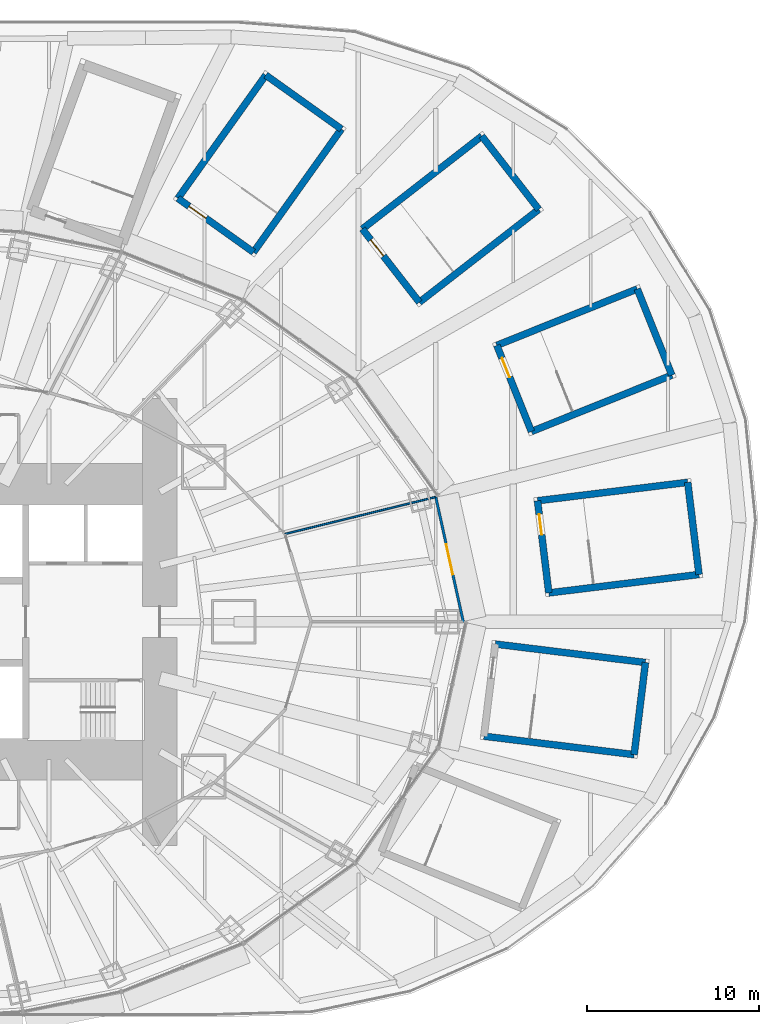
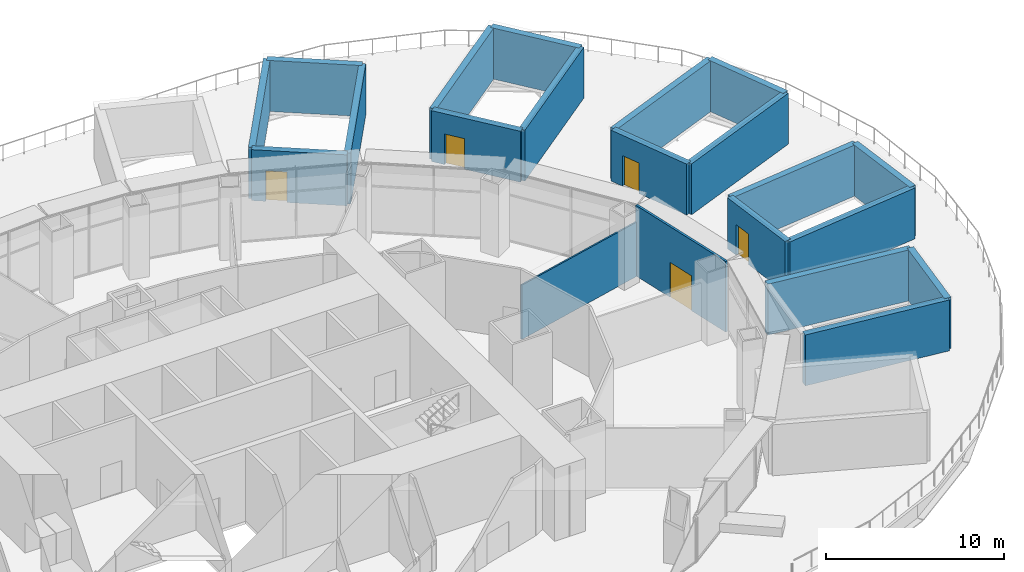
# One storey, part 19 of 25: 21 walls, 5 doors, 5 openings.
"""IFC4 building model written with IfcOpenShell, lengths in metres."""

from ifc_helpers import new_model, si_unit, direction, frame, frame_2d, origin, place, context, subcontext, project, spatial, rectangle, extrude, material, layer, layer_set, type_object, element, fill, save


model = new_model("IFC4")

# Units and contexts
model_context = context("Model", 3, precision=1e-05, world=origin(), true_north=direction((0.0, 1.0)))
body_context = subcontext(model_context, "Body", "Model", "MODEL_VIEW")
ifc_project = project(units=[si_unit("LENGTHUNIT", "METRE"), si_unit("AREAUNIT", "SQUARE_METRE"), si_unit("VOLUMEUNIT", "CUBIC_METRE"), si_unit("PLANEANGLEUNIT", "RADIAN"), si_unit("MASSUNIT", "GRAM", prefix="KILO")], contexts=[model_context])

# Site, building, storey
site_placement = place(None, origin())
site = spatial("IfcSite", under=ifc_project, at=site_placement, CompositionType="ELEMENT")
building_placement = place(site_placement, origin())
building = spatial("IfcBuilding", under=site, at=building_placement, Name="Lantaw Convention Tower", CompositionType="ELEMENT")
storey_placement = place(building_placement, frame((0.0, 0.0, 32.0)))
storey = spatial("IfcBuildingStorey", under=building, at=storey_placement, Name="L05", CompositionType="ELEMENT", Elevation=32.0)

# Wall, opening, door
ifc_material_1 = material(Name="Aluminium framed glazing", Category="aluminium")
ifc_layer_1 = layer(ifc_material_1, 0.14990234375)
ifc_layer_set_1 = layer_set([ifc_layer_1], Name="Glazed entrance screen 150")
wall_type_1 = type_object("IfcWallType", Name="Glazed entrance screen 150", PredefinedType="ELEMENTEDWALL", material=ifc_layer_set_1)
wall_1_placement = place(storey_placement, frame((30.853515625, -0.0322265625, 0.0), z_axis=(0.0, 0.0, 1.0), x_axis=(-0.215234867549, 0.976562313317, 0.0)))
wall_1 = element("IfcWall", 1, at=wall_1_placement, inside=storey, type_object=wall_type_1, Name="Glazed entrance screen", PredefinedType="ELEMENTEDWALL", context=body_context, shape_type="SweptSolid", body=[
    extrude(rectangle(XDim=7.502197265625, YDim=0.14990234375, at=frame_2d((3.7509765625, 0.0))), origin(), (0.0, 0.0, 1.0), 4.85009765625),
])
opening_1_placement = place(wall_1_placement, frame((2.851318359375, 0.0, 0.0)))
opening_1 = element("IfcOpeningElement", 2, at=opening_1_placement, cuts=wall_1, Name="Opening L05.E00", PredefinedType="OPENING", context=body_context, shape_type="SweptSolid", body=[
    extrude(rectangle(XDim=1.800048828125, YDim=2.39990234375, at=frame_2d((0.89990234375, 1.199951171875))), frame((0.0, 0.0849609375, 0.0), z_axis=(0.0, -1.0, 0.0), x_axis=(1.0, 0.0, 0.0)), (0.0, 0.0, 1.0), 0.169921875),
])
ifc_material_2 = material(Name="Aluminium and glass", Category="aluminium")
door_type_1 = type_object("IfcDoorType", Name="Terrace door 1800", OperationType="DOUBLE_DOOR_DOUBLE_SWING", PredefinedType="DOOR", material=ifc_material_2)
door_1_placement = place(opening_1_placement, origin())
door_1 = element("IfcDoor", 3, at=door_1_placement, inside=storey, type_object=door_type_1, Name="Terrace door", OperationType="DOUBLE_DOOR_DOUBLE_SWING", OverallHeight=2.39990234375, OverallWidth=1.800048828125, PredefinedType="DOOR", context=body_context, shape_type="SweptSolid", body=[
    extrude(rectangle(XDim=1.800048828125, YDim=2.39990234375, at=frame_2d((0.89990234375, 1.199951171875))), frame((0.0, 0.02490234375, 0.0), z_axis=(0.0, -1.0, 0.0), x_axis=(1.0, 0.0, 0.0)), (0.0, 0.0, 1.0), 0.050048828125),
])
fill(opening_1, door_1)

# Walls
ifc_material_3 = material(Name="Gypsum board on steel studs, acoustic", Category="steel")
ifc_layer_2 = layer(ifc_material_3, 0.10009765625)
ifc_layer_set_2 = layer_set([ifc_layer_2], Name="Office partition 100")
wall_type_2 = type_object("IfcWallType", Name="Office partition 100", PredefinedType="PARTITIONING", material=ifc_layer_set_2)
wall_2_placement = place(storey_placement, frame((29.221923828125, 7.253662109375, 0.0), z_axis=(0.0, 0.0, 1.0), x_axis=(-0.971128703136, -0.238556160989, 0.0)))
element("IfcWall", 4, at=wall_2_placement, inside=storey, type_object=wall_type_2, Name="Office partition 100", PredefinedType="PARTITIONING", context=body_context, shape_type="SweptSolid", body=[
    extrude(rectangle(XDim=8.997802734375, YDim=0.10009765625, at=frame_2d((4.4990234375, 0.0))), origin(), (0.0, 0.0, 1.0), 3.732421875),
])
ifc_material_4 = material(Name="Concrete C40/50, stair core, rendered", Category="concrete")
ifc_layer_3 = layer(ifc_material_4, 0.39990234375)
ifc_layer_set_3 = layer_set([ifc_layer_3], Name="Stair head-house wall 400 EI 120")
wall_type_3 = type_object("IfcWallType", Name="Stair head-house wall 400 EI 120", PredefinedType="SHEAR", material=ifc_layer_set_3)
wall_3_placement = place(storey_placement, frame((35.82275390625, 1.67822265625, 0.0), z_axis=(0.0, 0.0, 1.0), x_axis=(0.992545280606, 0.121876437212, 0.0)))
element("IfcWall", 5, at=wall_3_placement, inside=storey, type_object=wall_type_3, Name="Stair head-house wall", PredefinedType="SHEAR", context=body_context, shape_type="SweptSolid", body=[
    extrude(rectangle(XDim=8.800048828125, YDim=0.39990234375, at=frame_2d((4.39990234375, 0.0))), origin(), (0.0, 0.0, 1.0), 3.5),
])
wall_4_placement = place(storey_placement, frame((44.55712890625, 2.750732421875, 0.0), z_axis=(0.0, 0.0, 1.0), x_axis=(-0.12184754212, 0.99254882826, 0.0)))
element("IfcWall", 6, at=wall_4_placement, inside=storey, type_object=wall_type_3, Name="Stair head-house wall", PredefinedType="SHEAR", context=body_context, shape_type="SweptSolid", body=[
    extrude(rectangle(XDim=5.39990234375, YDim=0.39990234375, at=frame_2d((2.699951171875, 0.0))), origin(), (0.0, 0.0, 1.0), 3.5),
])
wall_5_placement = place(storey_placement, frame((43.899169921875, 8.1103515625, 0.0), z_axis=(0.0, 0.0, 1.0), x_axis=(-0.992545280606, -0.121876437212, 0.0)))
element("IfcWall", 7, at=wall_5_placement, inside=storey, type_object=wall_type_3, Name="Stair head-house wall", PredefinedType="SHEAR", context=body_context, shape_type="SweptSolid", body=[
    extrude(rectangle(XDim=8.800048828125, YDim=0.39990234375, at=frame_2d((4.39990234375, 0.0))), origin(), (0.0, 0.0, 1.0), 3.5),
])

# Wall, opening, door
wall_6_placement = place(storey_placement, frame((35.164794921875, 7.037841796875, 0.0), z_axis=(0.0, 0.0, 1.0), x_axis=(0.12184754212, -0.99254882826, 0.0)))
wall_6 = element("IfcWall", 8, at=wall_6_placement, inside=storey, type_object=wall_type_3, Name="Stair head-house wall", PredefinedType="SHEAR", context=body_context, shape_type="SweptSolid", body=[
    extrude(rectangle(XDim=5.39990234375, YDim=0.39990234375, at=frame_2d((2.699951171875, 0.0))), origin(), (0.0, 0.0, 1.0), 3.5),
])
opening_2_placement = place(wall_6_placement, frame((0.800048828125, 0.0, 0.0)))
opening_2 = element("IfcOpeningElement", 9, at=opening_2_placement, cuts=wall_6, Name="Opening L05.P1", PredefinedType="OPENING", context=body_context, shape_type="SweptSolid", body=[
    extrude(rectangle(XDim=1.199951171875, YDim=2.10009765625, at=frame_2d((0.60009765625, 1.050048828125))), frame((0.0, 0.2099609375, 0.0), z_axis=(0.0, -1.0, 0.0), x_axis=(1.0, 0.0, 0.0)), (0.0, 0.0, 1.0), 0.419921875),
])
door_type_2 = type_object("IfcDoorType", Name="Exit door 1200", OperationType="SINGLE_SWING_RIGHT", PredefinedType="DOOR", material=ifc_material_2)
door_2_placement = place(opening_2_placement, origin())
door_2 = element("IfcDoor", 10, at=door_2_placement, inside=storey, type_object=door_type_2, Name="Stair door to terrace", OperationType="SINGLE_SWING_RIGHT", OverallHeight=2.10009765625, OverallWidth=1.199951171875, PredefinedType="DOOR", context=body_context, shape_type="SweptSolid", body=[
    extrude(rectangle(XDim=1.199951171875, YDim=2.10009765625, at=frame_2d((0.60009765625, 1.050048828125))), frame((0.0, 0.02490234375, 0.0), z_axis=(0.0, -1.0, 0.0), x_axis=(1.0, 0.0, 0.0)), (0.0, 0.0, 1.0), 0.050048828125),
])
fill(opening_2, door_2)

# Walls
wall_7_placement = place(storey_placement, frame((34.811767578125, 11.0654296875, 0.0), z_axis=(0.0, 0.0, 1.0), x_axis=(0.92801678004, 0.372538395288, 0.0)))
element("IfcWall", 11, at=wall_7_placement, inside=storey, type_object=wall_type_3, Name="Stair head-house wall", PredefinedType="SHEAR", context=body_context, shape_type="SweptSolid", body=[
    extrude(rectangle(XDim=8.800048828125, YDim=0.39990234375, at=frame_2d((4.39990234375, 0.0))), origin(), (0.0, 0.0, 1.0), 3.5),
])
wall_8_placement = place(storey_placement, frame((42.978271484375, 14.34375, 0.0), z_axis=(0.0, 0.0, 1.0), x_axis=(-0.372544066459, 0.928014503414, 0.0)))
element("IfcWall", 12, at=wall_8_placement, inside=storey, type_object=wall_type_3, Name="Stair head-house wall", PredefinedType="SHEAR", context=body_context, shape_type="SweptSolid", body=[
    extrude(rectangle(XDim=5.39990234375, YDim=0.39990234375, at=frame_2d((2.699951171875, 0.0))), origin(), (0.0, 0.0, 1.0), 3.5),
])
wall_9_placement = place(storey_placement, frame((40.966552734375, 19.35498046875, 0.0), z_axis=(0.0, 0.0, 1.0), x_axis=(-0.92801678004, -0.372538395288, 0.0)))
element("IfcWall", 13, at=wall_9_placement, inside=storey, type_object=wall_type_3, Name="Stair head-house wall", PredefinedType="SHEAR", context=body_context, shape_type="SweptSolid", body=[
    extrude(rectangle(XDim=8.800048828125, YDim=0.39990234375, at=frame_2d((4.39990234375, 0.0))), origin(), (0.0, 0.0, 1.0), 3.5),
])

# Wall, opening, door
wall_10_placement = place(storey_placement, frame((32.800048828125, 16.07666015625, 0.0), z_axis=(0.0, 0.0, 1.0), x_axis=(0.372544066459, -0.928014503414, 0.0)))
wall_10 = element("IfcWall", 14, at=wall_10_placement, inside=storey, type_object=wall_type_3, Name="Stair head-house wall", PredefinedType="SHEAR", context=body_context, shape_type="SweptSolid", body=[
    extrude(rectangle(XDim=5.39990234375, YDim=0.39990234375, at=frame_2d((2.699951171875, 0.0))), origin(), (0.0, 0.0, 1.0), 3.5),
])
opening_3_placement = place(wall_10_placement, frame((0.800048828125, 0.0, 0.0)))
opening_3 = element("IfcOpeningElement", 15, at=opening_3_placement, cuts=wall_10, Name="Opening L05.P2", PredefinedType="OPENING", context=body_context, shape_type="SweptSolid", body=[
    extrude(rectangle(XDim=1.199951171875, YDim=2.10009765625, at=frame_2d((0.60009765625, 1.050048828125))), frame((0.0, 0.2099609375, 0.0), z_axis=(0.0, -1.0, 0.0), x_axis=(1.0, 0.0, 0.0)), (0.0, 0.0, 1.0), 0.419921875),
])
door_3_placement = place(opening_3_placement, origin())
door_3 = element("IfcDoor", 16, at=door_3_placement, inside=storey, type_object=door_type_2, Name="Stair door to terrace", OperationType="SINGLE_SWING_RIGHT", OverallHeight=2.10009765625, OverallWidth=1.199951171875, PredefinedType="DOOR", context=body_context, shape_type="SweptSolid", body=[
    extrude(rectangle(XDim=1.199951171875, YDim=2.10009765625, at=frame_2d((0.60009765625, 1.050048828125))), frame((0.0, 0.02490234375, 0.0), z_axis=(0.0, -1.0, 0.0), x_axis=(1.0, 0.0, 0.0)), (0.0, 0.0, 1.0), 0.050048828125),
])
fill(opening_3, door_3)

# Walls
wall_11_placement = place(storey_placement, frame((28.292724609375, 18.5830078125, 0.0), z_axis=(0.0, 0.0, 1.0), x_axis=(0.78938060008, 0.613904119726, 0.0)))
element("IfcWall", 17, at=wall_11_placement, inside=storey, type_object=wall_type_3, Name="Stair head-house wall", PredefinedType="SHEAR", context=body_context, shape_type="SweptSolid", body=[
    extrude(rectangle(XDim=8.800048828125, YDim=0.39990234375, at=frame_2d((4.39990234375, 0.0))), origin(), (0.0, 0.0, 1.0), 3.5),
])
wall_12_placement = place(storey_placement, frame((35.2392578125, 23.9853515625, 0.0), z_axis=(0.0, 0.0, 1.0), x_axis=(-0.613912443548, 0.789374126544, 0.0)))
element("IfcWall", 18, at=wall_12_placement, inside=storey, type_object=wall_type_3, Name="Stair head-house wall", PredefinedType="SHEAR", context=body_context, shape_type="SweptSolid", body=[
    extrude(rectangle(XDim=5.400146484375, YDim=0.39990234375, at=frame_2d((2.7001953125, 0.0))), origin(), (0.0, 0.0, 1.0), 3.5),
])
wall_13_placement = place(storey_placement, frame((31.924072265625, 28.248046875, 0.0), z_axis=(0.0, 0.0, 1.0), x_axis=(-0.78938060008, -0.613904119726, 0.0)))
element("IfcWall", 19, at=wall_13_placement, inside=storey, type_object=wall_type_3, Name="Stair head-house wall", PredefinedType="SHEAR", context=body_context, shape_type="SweptSolid", body=[
    extrude(rectangle(XDim=8.800048828125, YDim=0.39990234375, at=frame_2d((4.39990234375, 0.0))), origin(), (0.0, 0.0, 1.0), 3.5),
])

# Wall, opening, door
wall_14_placement = place(storey_placement, frame((24.9775390625, 22.845703125, 0.0), z_axis=(0.0, 0.0, 1.0), x_axis=(0.613912443548, -0.789374126544, 0.0)))
wall_14 = element("IfcWall", 20, at=wall_14_placement, inside=storey, type_object=wall_type_3, Name="Stair head-house wall", PredefinedType="SHEAR", context=body_context, shape_type="SweptSolid", body=[
    extrude(rectangle(XDim=5.400146484375, YDim=0.39990234375, at=frame_2d((2.7001953125, 0.0))), origin(), (0.0, 0.0, 1.0), 3.5),
])
opening_4_placement = place(wall_14_placement, frame((0.800048828125, 0.0, 0.0)))
opening_4 = element("IfcOpeningElement", 21, at=opening_4_placement, cuts=wall_14, Name="Opening L05.P3", PredefinedType="OPENING", context=body_context, shape_type="SweptSolid", body=[
    extrude(rectangle(XDim=1.199951171875, YDim=2.10009765625, at=frame_2d((0.60009765625, 1.050048828125))), frame((0.0, 0.2099609375, 0.0), z_axis=(0.0, -1.0, 0.0), x_axis=(1.0, 0.0, 0.0)), (0.0, 0.0, 1.0), 0.419921875),
])
door_4_placement = place(opening_4_placement, origin())
door_4 = element("IfcDoor", 22, at=door_4_placement, inside=storey, type_object=door_type_2, Name="Stair door to terrace", OperationType="SINGLE_SWING_RIGHT", OverallHeight=2.10009765625, OverallWidth=1.199951171875, PredefinedType="DOOR", context=body_context, shape_type="SweptSolid", body=[
    extrude(rectangle(XDim=1.199951171875, YDim=2.10009765625, at=frame_2d((0.60009765625, 1.050048828125))), frame((0.0, 0.02490234375, 0.0), z_axis=(0.0, -1.0, 0.0), x_axis=(1.0, 0.0, 0.0)), (0.0, 0.0, 1.0), 0.050048828125),
])
fill(opening_4, door_4)

# Walls
wall_15_placement = place(storey_placement, frame((18.647216796875, 21.492919921875, 0.0), z_axis=(0.0, 0.0, 1.0), x_axis=(0.580705313356, 0.814113836659, 0.0)))
element("IfcWall", 23, at=wall_15_placement, inside=storey, type_object=wall_type_3, Name="Stair head-house wall", PredefinedType="SHEAR", context=body_context, shape_type="SweptSolid", body=[
    extrude(rectangle(XDim=8.7998046875, YDim=0.39990234375, at=frame_2d((4.39990234375, 0.0))), origin(), (0.0, 0.0, 1.0), 3.5),
])
wall_16_placement = place(storey_placement, frame((23.75732421875, 28.656982421875, 0.0), z_axis=(0.0, 0.0, 1.0), x_axis=(-0.814121252423, 0.580694916762, 0.0)))
element("IfcWall", 24, at=wall_16_placement, inside=storey, type_object=wall_type_3, Name="Stair head-house wall", PredefinedType="SHEAR", context=body_context, shape_type="SweptSolid", body=[
    extrude(rectangle(XDim=5.39990234375, YDim=0.39990234375, at=frame_2d((2.699951171875, 0.0))), origin(), (0.0, 0.0, 1.0), 3.5),
])
wall_17_placement = place(storey_placement, frame((19.361083984375, 31.792724609375, 0.0), z_axis=(0.0, 0.0, 1.0), x_axis=(-0.580705313356, -0.814113836659, 0.0)))
element("IfcWall", 25, at=wall_17_placement, inside=storey, type_object=wall_type_3, Name="Stair head-house wall", PredefinedType="SHEAR", context=body_context, shape_type="SweptSolid", body=[
    extrude(rectangle(XDim=8.7998046875, YDim=0.39990234375, at=frame_2d((4.39990234375, 0.0))), origin(), (0.0, 0.0, 1.0), 3.5),
])

# Wall, opening, door
wall_18_placement = place(storey_placement, frame((14.2509765625, 24.628662109375, 0.0), z_axis=(0.0, 0.0, 1.0), x_axis=(0.814121252423, -0.580694916762, 0.0)))
wall_18 = element("IfcWall", 26, at=wall_18_placement, inside=storey, type_object=wall_type_3, Name="Stair head-house wall", PredefinedType="SHEAR", context=body_context, shape_type="SweptSolid", body=[
    extrude(rectangle(XDim=5.39990234375, YDim=0.39990234375, at=frame_2d((2.699951171875, 0.0))), origin(), (0.0, 0.0, 1.0), 3.5),
])
opening_5_placement = place(wall_18_placement, frame((0.800048828125, 0.0, 0.0)))
opening_5 = element("IfcOpeningElement", 27, at=opening_5_placement, cuts=wall_18, Name="Opening L05.P4", PredefinedType="OPENING", context=body_context, shape_type="SweptSolid", body=[
    extrude(rectangle(XDim=1.199951171875, YDim=2.10009765625, at=frame_2d((0.60009765625, 1.050048828125))), frame((0.0, 0.2099609375, 0.0), z_axis=(0.0, -1.0, 0.0), x_axis=(1.0, 0.0, 0.0)), (0.0, 0.0, 1.0), 0.419921875),
])
door_5_placement = place(opening_5_placement, origin())
door_5 = element("IfcDoor", 28, at=door_5_placement, inside=storey, type_object=door_type_2, Name="Stair door to terrace", OperationType="SINGLE_SWING_RIGHT", OverallHeight=2.10009765625, OverallWidth=1.199951171875, PredefinedType="DOOR", context=body_context, shape_type="SweptSolid", body=[
    extrude(rectangle(XDim=1.199951171875, YDim=2.10009765625, at=frame_2d((0.60009765625, 1.050048828125))), frame((0.0, 0.02490234375, 0.0), z_axis=(0.0, -1.0, 0.0), x_axis=(1.0, 0.0, 0.0)), (0.0, 0.0, 1.0), 0.050048828125),
])
fill(opening_5, door_5)

# Walls
wall_19_placement = place(storey_placement, frame((32.050537109375, -6.655517578125, 0.0), z_axis=(0.0, 0.0, 1.0), x_axis=(0.992545280606, -0.121876437212, 0.0)))
element("IfcWall", 29, at=wall_19_placement, inside=storey, type_object=wall_type_3, Name="Stair head-house wall", PredefinedType="SHEAR", context=body_context, shape_type="SweptSolid", body=[
    extrude(rectangle(XDim=8.800048828125, YDim=0.39990234375, at=frame_2d((4.39990234375, 0.0))), origin(), (0.0, 0.0, 1.0), 3.5),
])
wall_20_placement = place(storey_placement, frame((40.784912109375, -7.72802734375, 0.0), z_axis=(0.0, 0.0, 1.0), x_axis=(0.121892082937, 0.992543359314, 0.0)))
element("IfcWall", 30, at=wall_20_placement, inside=storey, type_object=wall_type_3, Name="Stair head-house wall", PredefinedType="SHEAR", context=body_context, shape_type="SweptSolid", body=[
    extrude(rectangle(XDim=5.39990234375, YDim=0.39990234375, at=frame_2d((2.699951171875, 0.0))), origin(), (0.0, 0.0, 1.0), 3.5),
])
wall_21_placement = place(storey_placement, frame((41.443115234375, -2.368408203125, 0.0), z_axis=(0.0, 0.0, 1.0), x_axis=(-0.992545692684, 0.121873081252, 0.0)))
element("IfcWall", 31, at=wall_21_placement, inside=storey, type_object=wall_type_3, Name="Stair head-house wall", PredefinedType="SHEAR", context=body_context, shape_type="SweptSolid", body=[
    extrude(rectangle(XDim=8.80029296875, YDim=0.39990234375, at=frame_2d((4.400146484375, 0.0))), origin(), (0.0, 0.0, 1.0), 3.5),
])

save(model, "model.ifc")
